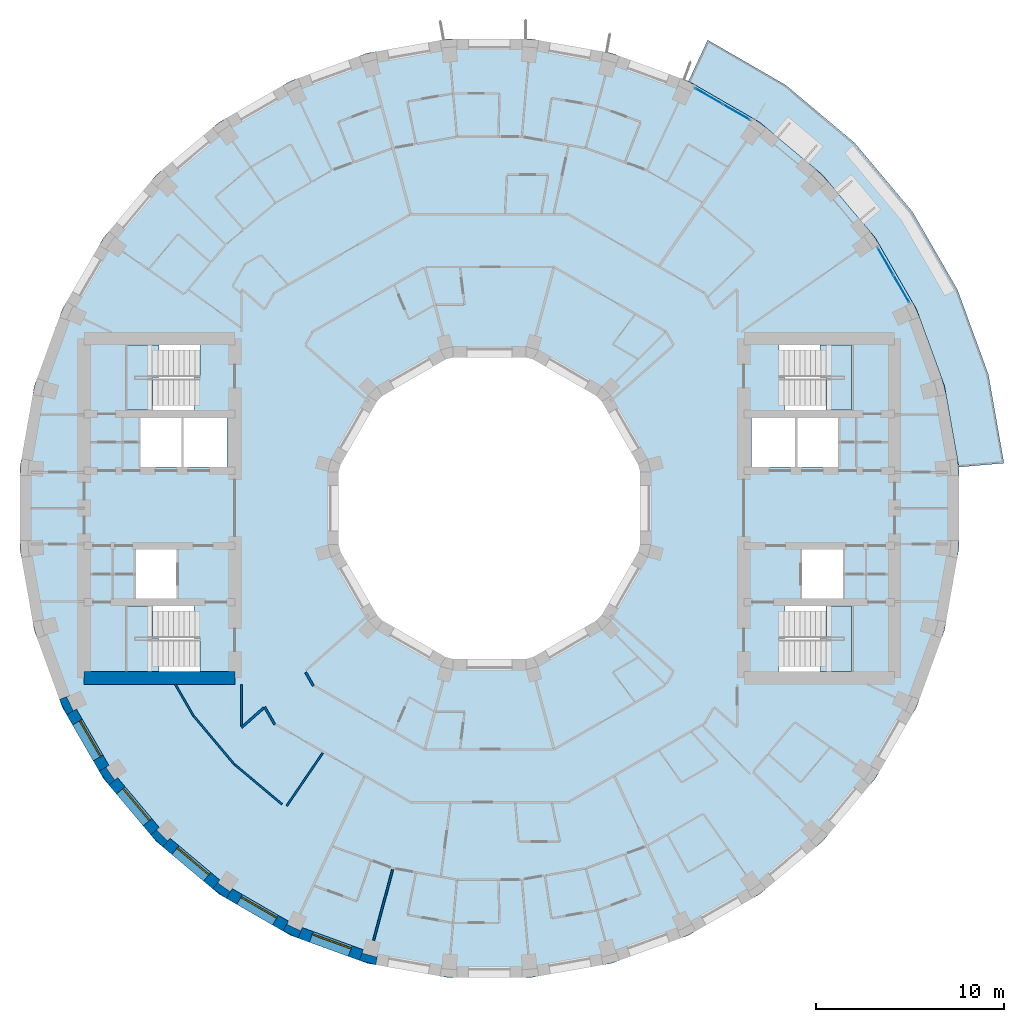
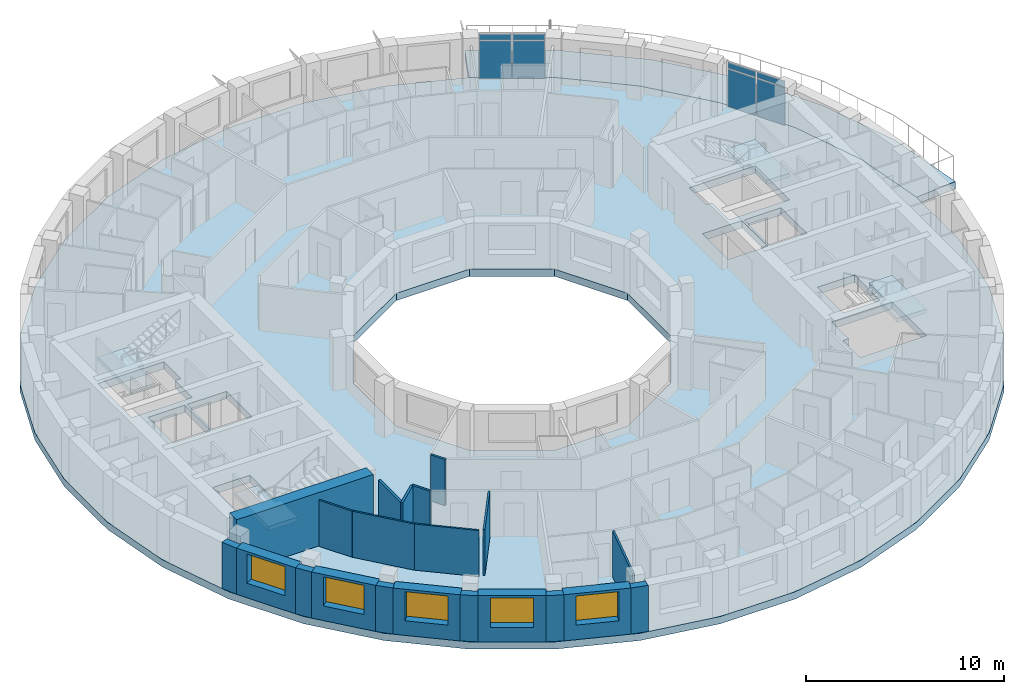
# One storey, part 3 of 15: 21 walls, 8 plates, 6 slabs, 5 windows, 5 openings, 6 elements without a shape of their own.
"""IFC4 building model written with IfcOpenShell, lengths in metres."""

from ifc_helpers import new_model, si_unit, direction, frame, frame_2d, origin, origin_2d, place, context, subcontext, project, spatial, polyline, rectangle, outline, extrude, material, layer, layer_set, type_object, element, fill, aggregate, save


model = new_model("IFC4")

# Units and contexts
model_context = context("Model", 3, precision=1e-05, world=origin(), true_north=direction((0.0, 1.0)))
body_context = subcontext(model_context, "Body", "Model", "MODEL_VIEW")
ifc_project = project(units=[si_unit("LENGTHUNIT", "METRE"), si_unit("AREAUNIT", "SQUARE_METRE"), si_unit("VOLUMEUNIT", "CUBIC_METRE"), si_unit("PLANEANGLEUNIT", "RADIAN"), si_unit("MASSUNIT", "GRAM", prefix="KILO")], contexts=[model_context])

# Site, building, storey
site_placement = place(None, origin())
site = spatial("IfcSite", under=ifc_project, at=site_placement, CompositionType="ELEMENT")
building_placement = place(site_placement, origin())
building = spatial("IfcBuilding", under=site, at=building_placement, Name="Saqina Gate Tower", CompositionType="ELEMENT")
storey_placement = place(building_placement, frame((0.0, 0.0, 197.10009765625)))
storey = spatial("IfcBuildingStorey", under=building, at=storey_placement, Name="L56", CompositionType="ELEMENT", Elevation=197.10009765625)

# Curtain wall, plates
ifc_material_1 = material(Name="Aluminium glazing", Category="aluminium")
ifc_layer_1 = layer(ifc_material_1, 0.159912109375)
ifc_layer_set_1 = layer_set([ifc_layer_1], Name="CWT-4")
curtain_wall_type = type_object("IfcCurtainWallType", Name="CWT-4", PredefinedType="NOTDEFINED", material=ifc_layer_set_1)
curtain_wall_1_placement = place(storey_placement, origin())
curtain_wall_1 = element("IfcCurtainWall", 1, at=curtain_wall_1_placement, inside=storey, type_object=curtain_wall_type, Name="Terrace lounge glazing facet 3", PredefinedType="NOTDEFINED")
ifc_material_2 = material(Name="Glass", Category="glass")
ifc_layer_2 = layer(ifc_material_2, 0.028076171875)
ifc_layer_set_2 = layer_set([ifc_layer_2], Name="CWT-4P")
plate_type = type_object("IfcPlateType", Name="CWT-4P", PredefinedType="CURTAIN_PANEL", material=ifc_layer_set_2)
plate_1_placement = place(storey_placement, frame((21.862060546875, 11.6435546875, 0.059814453125), z_axis=(0.0, 0.0, 1.0), x_axis=(-0.500014364391, 0.866017110341, 0.0)))
plate_1 = element("IfcPlate", 2, at=plate_1_placement, type_object=plate_type, Name="CW4-03 panel 1.1", PredefinedType="CURTAIN_PANEL", context=body_context, shape_type="SweptSolid", body=[
    extrude(rectangle(XDim=1.634765625, YDim=0.028076171875, at=origin_2d()), origin(), (0.0, 0.0, 1.0), 2.31005859375),
])
plate_2_placement = place(storey_placement, frame((21.862060546875, 11.6435546875, 2.4296875), z_axis=(0.0, 0.0, 1.0), x_axis=(-0.500014364391, 0.866017110341, 0.0)))
plate_2 = element("IfcPlate", 3, at=plate_2_placement, type_object=plate_type, Name="CW4-03 panel 1.2", PredefinedType="CURTAIN_PANEL", context=body_context, shape_type="SweptSolid", body=[
    extrude(rectangle(XDim=1.634765625, YDim=0.028076171875, at=origin_2d()), origin(), (0.0, 0.0, 1.0), 0.360107421875),
])
plate_3_placement = place(storey_placement, frame((21.0146484375, 13.111328125, 0.059814453125), z_axis=(0.0, 0.0, 1.0), x_axis=(-0.500014364391, 0.866017110341, 0.0)))
plate_3 = element("IfcPlate", 4, at=plate_3_placement, type_object=plate_type, Name="CW4-03 panel 2.1", PredefinedType="CURTAIN_PANEL", context=body_context, shape_type="SweptSolid", body=[
    extrude(rectangle(XDim=1.634765625, YDim=0.028076171875, at=origin_2d()), origin(), (0.0, 0.0, 1.0), 2.31005859375),
])
plate_4_placement = place(storey_placement, frame((21.0146484375, 13.111328125, 2.4296875), z_axis=(0.0, 0.0, 1.0), x_axis=(-0.500014364391, 0.866017110341, 0.0)))
plate_4 = element("IfcPlate", 5, at=plate_4_placement, type_object=plate_type, Name="CW4-03 panel 2.2", PredefinedType="CURTAIN_PANEL", context=body_context, shape_type="SweptSolid", body=[
    extrude(rectangle(XDim=1.634765625, YDim=0.028076171875, at=origin_2d()), origin(), (0.0, 0.0, 1.0), 0.360107421875),
])
aggregate(curtain_wall_1, [plate_1, plate_2, plate_3, plate_4])

curtain_wall_2_placement = place(storey_placement, origin())
curtain_wall_2 = element("IfcCurtainWall", 6, at=curtain_wall_2_placement, inside=storey, type_object=curtain_wall_type, Name="Terrace lounge glazing facet 6", PredefinedType="NOTDEFINED")
plate_5_placement = place(storey_placement, frame((13.111328125, 21.0146484375, 0.059814453125), z_axis=(0.0, 0.0, 1.0), x_axis=(-0.866017110341, 0.500014364391, 0.0)))
plate_5 = element("IfcPlate", 7, at=plate_5_placement, type_object=plate_type, Name="CW4-06 panel 1.1", PredefinedType="CURTAIN_PANEL", context=body_context, shape_type="SweptSolid", body=[
    extrude(rectangle(XDim=1.634765625, YDim=0.028076171875, at=origin_2d()), origin(), (0.0, 0.0, 1.0), 2.31005859375),
])
plate_6_placement = place(storey_placement, frame((13.111328125, 21.0146484375, 2.4296875), z_axis=(0.0, 0.0, 1.0), x_axis=(-0.866017110341, 0.500014364391, 0.0)))
plate_6 = element("IfcPlate", 8, at=plate_6_placement, type_object=plate_type, Name="CW4-06 panel 1.2", PredefinedType="CURTAIN_PANEL", context=body_context, shape_type="SweptSolid", body=[
    extrude(rectangle(XDim=1.634765625, YDim=0.028076171875, at=origin_2d()), origin(), (0.0, 0.0, 1.0), 0.360107421875),
])
plate_7_placement = place(storey_placement, frame((11.6435546875, 21.862060546875, 0.059814453125), z_axis=(0.0, 0.0, 1.0), x_axis=(-0.866017110341, 0.500014364391, 0.0)))
plate_7 = element("IfcPlate", 9, at=plate_7_placement, type_object=plate_type, Name="CW4-06 panel 2.1", PredefinedType="CURTAIN_PANEL", context=body_context, shape_type="SweptSolid", body=[
    extrude(rectangle(XDim=1.634765625, YDim=0.028076171875, at=origin_2d()), origin(), (0.0, 0.0, 1.0), 2.31005859375),
])
plate_8_placement = place(storey_placement, frame((11.6435546875, 21.862060546875, 2.4296875), z_axis=(0.0, 0.0, 1.0), x_axis=(-0.866017110341, 0.500014364391, 0.0)))
plate_8 = element("IfcPlate", 10, at=plate_8_placement, type_object=plate_type, Name="CW4-06 panel 2.2", PredefinedType="CURTAIN_PANEL", context=body_context, shape_type="SweptSolid", body=[
    extrude(rectangle(XDim=1.634765625, YDim=0.028076171875, at=origin_2d()), origin(), (0.0, 0.0, 1.0), 0.360107421875),
])
aggregate(curtain_wall_2, [plate_5, plate_6, plate_7, plate_8])

# Stair, slab
ifc_material_3 = material(Name="Concrete C40/50", Category="concrete")
stair_type = type_object("IfcStairType", Name="EXIT STAIR", PredefinedType="HALF_TURN_STAIR", material=ifc_material_3)
stair_1_placement = place(storey_placement, origin())
stair_1 = element("IfcStair", 11, at=stair_1_placement, inside=storey, type_object=stair_type, Name="EXIT STAIR 1", PredefinedType="HALF_TURN_STAIR")
ifc_material_4 = material(Name="Concrete C40/50", Category="concrete")
ifc_layer_3 = layer(ifc_material_4, 0.25)
ifc_layer_set_3 = layer_set([ifc_layer_3], Name="Concrete C40/50")
slab_type_1 = type_object("IfcSlabType", Name="EXIT STAIR LANDING", PredefinedType="LANDING", material=ifc_layer_set_3)
slab_1_placement = place(storey_placement, frame((0.0, 0.0, 1.39990234375)))
slab_1 = element("IfcSlab", 12, at=slab_1_placement, type_object=slab_type_1, Name="EXIT STAIR 1 LANDING 1", PredefinedType="LANDING", context=body_context, shape_type="SweptSolid", body=[
    extrude(outline(polyline([(19.219970703125, 8.64990234375), (19.219970703125, 5.199951171875), (17.864990234375, 5.199951171875), (17.864990234375, 6.925048828125), (17.534423828125, 6.925048828125), (17.534423828125, 8.64990234375), (17.864990234375, 8.64990234375), (17.8701171875, 8.64990234375), (19.219970703125, 8.64990234375)])), origin(), (0.0, 0.0, 1.0), 0.25),
])
aggregate(stair_1, [slab_1])

stair_2_placement = place(storey_placement, origin())
stair_2 = element("IfcStair", 13, at=stair_2_placement, inside=storey, type_object=stair_type, Name="EXIT STAIR 2", PredefinedType="HALF_TURN_STAIR")
slab_2_placement = place(storey_placement, frame((0.0, 0.0, 1.39990234375)))
slab_2 = element("IfcSlab", 14, at=slab_2_placement, type_object=slab_type_1, Name="EXIT STAIR 2 LANDING 1", PredefinedType="LANDING", context=body_context, shape_type="SweptSolid", body=[
    extrude(outline(polyline([(17.534423828125, -8.64990234375), (17.534423828125, -6.925048828125), (17.864990234375, -6.925048828125), (17.864990234375, -5.199951171875), (19.219970703125, -5.199951171875), (19.219970703125, -8.64990234375), (17.8701171875, -8.64990234375), (17.864990234375, -8.64990234375), (17.534423828125, -8.64990234375)])), origin(), (0.0, 0.0, 1.0), 0.25),
])
aggregate(stair_2, [slab_2])

stair_3_placement = place(storey_placement, origin())
stair_3 = element("IfcStair", 15, at=stair_3_placement, inside=storey, type_object=stair_type, Name="EXIT STAIR 3", PredefinedType="HALF_TURN_STAIR")
slab_3_placement = place(storey_placement, frame((0.0, 0.0, 1.39990234375)))
slab_3 = element("IfcSlab", 16, at=slab_3_placement, type_object=slab_type_1, Name="EXIT STAIR 3 LANDING 1", PredefinedType="LANDING", context=body_context, shape_type="SweptSolid", body=[
    extrude(outline(polyline([(-17.864990234375, 5.199951171875), (-19.219970703125, 5.199951171875), (-19.219970703125, 8.64990234375), (-17.8701171875, 8.64990234375), (-17.864990234375, 8.64990234375), (-17.534423828125, 8.64990234375), (-17.534423828125, 6.925048828125), (-17.864990234375, 6.925048828125), (-17.864990234375, 5.199951171875)])), origin(), (0.0, 0.0, 1.0), 0.25),
])
aggregate(stair_3, [slab_3])

stair_4_placement = place(storey_placement, origin())
stair_4 = element("IfcStair", 17, at=stair_4_placement, inside=storey, type_object=stair_type, Name="EXIT STAIR 4", PredefinedType="HALF_TURN_STAIR")
slab_4_placement = place(storey_placement, frame((0.0, 0.0, 1.39990234375)))
slab_4 = element("IfcSlab", 18, at=slab_4_placement, type_object=slab_type_1, Name="EXIT STAIR 4 LANDING 1", PredefinedType="LANDING", context=body_context, shape_type="SweptSolid", body=[
    extrude(outline(polyline([(-17.534423828125, -6.925048828125), (-17.534423828125, -8.64990234375), (-17.864990234375, -8.64990234375), (-17.8701171875, -8.64990234375), (-19.219970703125, -8.64990234375), (-19.219970703125, -5.199951171875), (-17.864990234375, -5.199951171875), (-17.864990234375, -6.925048828125), (-17.534423828125, -6.925048828125)])), origin(), (0.0, 0.0, 1.0), 0.25),
])
aggregate(stair_4, [slab_4])

# Slabs
ifc_material_5 = material(Name="Concrete C40/50", Category="concrete")
ifc_layer_4 = layer(ifc_material_5, 0.449951171875)
ifc_layer_set_4 = layer_set([ifc_layer_4], Name="Concrete C40/50")
slab_type_2 = type_object("IfcSlabType", Name="STR-POST-TENSIONED FLAT PLATE FLOOR-450", PredefinedType="FLOOR", material=ifc_layer_set_4)
slab_5_placement = place(storey_placement, frame((0.0, 0.0, -0.4501953125)))
element("IfcSlab", 19, at=slab_5_placement, inside=storey, type_object=slab_type_2, Name="L56-SLB01", PredefinedType="FLOOR", context=body_context, shape_type="SweptSolid", body=[
    extrude(outline(polyline([(24.148193359375, -6.470458984375), (24.90478515625, -2.178955078125), (24.90478515625, 2.178955078125), (24.148193359375, 6.470458984375), (22.65771484375, 10.5654296875), (20.478759765625, 14.33935546875), (17.677734375, 17.677734375), (14.33935546875, 20.478759765625), (10.5654296875, 22.65771484375), (6.470458984375, 24.148193359375), (2.178955078125, 24.90478515625), (-2.178955078125, 24.90478515625), (-6.470458984375, 24.148193359375), (-10.5654296875, 22.65771484375), (-14.33935546875, 20.478759765625), (-17.677734375, 17.677734375), (-20.478759765625, 14.33935546875), (-22.65771484375, 10.5654296875), (-24.148193359375, 6.470458984375), (-24.90478515625, 2.178955078125), (-24.90478515625, -2.178955078125), (-24.148193359375, -6.470458984375), (-22.65771484375, -10.5654296875), (-20.478759765625, -14.33935546875), (-17.677734375, -17.677734375), (-14.33935546875, -20.478759765625), (-10.5654296875, -22.65771484375), (-6.470458984375, -24.148193359375), (-2.178955078125, -24.90478515625), (2.178955078125, -24.90478515625), (6.470458984375, -24.148193359375), (10.5654296875, -22.65771484375), (14.33935546875, -20.478759765625), (17.677734375, -17.677734375), (20.478759765625, -14.33935546875), (22.65771484375, -10.5654296875), (24.148193359375, -6.470458984375)]), holes=[polyline([(2.1435546875, 8.0), (5.8564453125, 5.8564453125), (8.0, 2.1435546875), (8.0, -2.1435546875), (5.8564453125, -5.8564453125), (2.1435546875, -8.0), (-2.1435546875, -8.0), (-5.8564453125, -5.8564453125), (-8.0, -2.1435546875), (-8.0, 2.1435546875), (-5.8564453125, 5.8564453125), (-2.1435546875, 8.0), (2.1435546875, 8.0)]), polyline([(-15.35498046875, -8.64990234375), (-19.219970703125, -8.64990234375), (-19.219970703125, -6.925048828125), (-19.219970703125, -5.199951171875), (-15.685546875, -5.199951171875), (-15.685546875, -6.925048828125), (-15.35498046875, -6.925048828125), (-15.35498046875, -8.64990234375)]), polyline([(-16.590087890625, -2.199951171875), (-16.590087890625, -4.800048828125), (-18.75, -4.800048828125), (-18.75, -2.199951171875), (-16.590087890625, -2.199951171875)]), polyline([(-16.340087890625, 4.800048828125), (-16.340087890625, 2.199951171875), (-18.5, 2.199951171875), (-18.5, 4.800048828125), (-16.340087890625, 4.800048828125)]), polyline([(-13.909912109375, 4.800048828125), (-13.909912109375, 2.199951171875), (-16.219970703125, 2.199951171875), (-16.219970703125, 4.800048828125), (-13.909912109375, 4.800048828125)]), polyline([(-19.219970703125, 6.925048828125), (-19.219970703125, 8.64990234375), (-15.35498046875, 8.64990234375), (-15.35498046875, 6.925048828125), (-15.685546875, 6.925048828125), (-15.685546875, 5.199951171875), (-19.219970703125, 5.199951171875), (-19.219970703125, 6.925048828125)]), polyline([(15.35498046875, -8.64990234375), (15.35498046875, -6.925048828125), (15.685546875, -6.925048828125), (15.685546875, -5.199951171875), (19.219970703125, -5.199951171875), (19.219970703125, -6.925048828125), (19.219970703125, -8.64990234375), (15.35498046875, -8.64990234375)]), polyline([(18.75, -2.199951171875), (18.75, -4.800048828125), (16.590087890625, -4.800048828125), (16.590087890625, -2.199951171875), (18.75, -2.199951171875)]), polyline([(16.219970703125, 4.800048828125), (16.219970703125, 2.199951171875), (13.909912109375, 2.199951171875), (13.909912109375, 4.800048828125), (16.219970703125, 4.800048828125)]), polyline([(18.5, 4.800048828125), (18.5, 2.199951171875), (16.340087890625, 2.199951171875), (16.340087890625, 4.800048828125), (18.5, 4.800048828125)]), polyline([(15.685546875, 6.925048828125), (15.35498046875, 6.925048828125), (15.35498046875, 8.64990234375), (19.219970703125, 8.64990234375), (19.219970703125, 6.925048828125), (19.219970703125, 5.199951171875), (15.685546875, 5.199951171875), (15.685546875, 6.925048828125)])]), origin(), (0.0, 0.0, 1.0), 0.4501953125),
])
ifc_material_6 = material(Name="Concrete C40/50", Category="concrete")
ifc_layer_5 = layer(ifc_material_6, 0.449951171875)
ifc_layer_set_5 = layer_set([ifc_layer_5], Name="Concrete C40/50")
slab_type_3 = type_object("IfcSlabType", Name="STR-POST-TENSIONED FLAT PLATE TERRACE-450", PredefinedType="FLOOR", material=ifc_layer_set_5)
slab_6_placement = place(storey_placement, frame((0.0, 0.0, -0.4501953125)))
element("IfcSlab", 20, at=slab_6_placement, inside=storey, type_object=slab_type_3, Name="L56-TRS01", PredefinedType="FLOOR", context=body_context, shape_type="SweptSolid", body=[
    extrude(outline(polyline([(24.90478515625, 2.178955078125), (24.148193359375, 6.470458984375), (22.65771484375, 10.5654296875), (20.478759765625, 14.33935546875), (17.677734375, 17.677734375), (14.33935546875, 20.478759765625), (10.5654296875, 22.65771484375), (11.58349609375, 24.841064453125), (15.72119140625, 22.452392578125), (19.381103515625, 19.381103515625), (22.452392578125, 15.72119140625), (24.841064453125, 11.58349609375), (26.475341796875, 7.093994140625), (27.304931640625, 2.388916015625), (24.90478515625, 2.178955078125)])), origin(), (0.0, 0.0, 1.0), 0.4501953125),
])

# Walls
ifc_material_7 = material(Name="Brick masonry (buff)", Category="masonry")
wall_type_1 = type_object("IfcWallType", Name="BRICK PIER COPING BUFF", PredefinedType="SOLIDWALL", material=ifc_material_7)
wall_1_placement = place(storey_placement, origin())
element("IfcWall", 21, at=wall_1_placement, inside=storey, type_object=wall_type_1, Name="Pier cap L56 column 21", PredefinedType="SOLIDWALL", context=body_context, shape_type="SweptSolid", body=[
    extrude(outline(polyline([(-22.4306640625, -10.958740234375), (-21.9111328125, -10.65869140625), (-22.080810546875, -10.73779296875), (-22.4189453125, -10.0126953125), (-22.249267578125, -9.93359375), (-22.81298828125, -10.138916015625), (-22.4306640625, -10.958740234375)])), origin(), (0.0, 0.0, 1.0), 2.849853515625),
])
wall_2_placement = place(storey_placement, origin())
element("IfcWall", 22, at=wall_2_placement, inside=storey, type_object=wall_type_1, Name="Pier cap L56 column 22", PredefinedType="SOLIDWALL", context=body_context, shape_type="SweptSolid", body=[
    extrude(outline(polyline([(-20.705810546875, -13.9462890625), (-20.18701171875, -14.687255859375), (-19.727294921875, -14.301513671875), (-19.880859375, -14.408935546875), (-20.339599609375, -13.753662109375), (-20.186279296875, -13.646240234375), (-20.705810546875, -13.9462890625)])), origin(), (0.0, 0.0, 1.0), 2.849853515625),
])
wall_3_placement = place(storey_placement, origin())
element("IfcWall", 23, at=wall_3_placement, inside=storey, type_object=wall_type_1, Name="Pier cap L56 column 23", PredefinedType="SOLIDWALL", context=body_context, shape_type="SweptSolid", body=[
    extrude(outline(polyline([(-17.329833984375, -17.969482421875), (-16.944091796875, -17.510009765625), (-17.07666015625, -17.642333984375), (-17.642333984375, -17.07666015625), (-17.510009765625, -16.944091796875), (-17.969482421875, -17.329833984375), (-17.329833984375, -17.969482421875)])), origin(), (0.0, 0.0, 1.0), 2.849853515625),
])
wall_4_placement = place(storey_placement, origin())
element("IfcWall", 24, at=wall_4_placement, inside=storey, type_object=wall_type_1, Name="Pier cap L56 column 24", PredefinedType="SOLIDWALL", context=body_context, shape_type="SweptSolid", body=[
    extrude(outline(polyline([(-14.687255859375, -20.18701171875), (-13.9462890625, -20.705810546875), (-13.646240234375, -20.186279296875), (-13.753662109375, -20.339599609375), (-14.408935546875, -19.880859375), (-14.301513671875, -19.727294921875), (-14.687255859375, -20.18701171875)])), origin(), (0.0, 0.0, 1.0), 2.849853515625),
])
wall_5_placement = place(storey_placement, origin())
element("IfcWall", 25, at=wall_5_placement, inside=storey, type_object=wall_type_1, Name="Pier cap L56 column 25", PredefinedType="SOLIDWALL", context=body_context, shape_type="SweptSolid", body=[
    extrude(outline(polyline([(-10.138916015625, -22.81298828125), (-9.93359375, -22.249267578125), (-10.0126953125, -22.4189453125), (-10.73779296875, -22.080810546875), (-10.65869140625, -21.9111328125), (-10.958740234375, -22.4306640625), (-10.138916015625, -22.81298828125)])), origin(), (0.0, 0.0, 1.0), 2.849853515625),
])
wall_6_placement = place(storey_placement, origin())
element("IfcWall", 26, at=wall_6_placement, inside=storey, type_object=wall_type_1, Name="Pier cap L56 column 26", PredefinedType="SOLIDWALL", context=body_context, shape_type="SweptSolid", body=[
    extrude(outline(polyline([(-6.0234375, -24.22705078125), (-5.919189453125, -23.635986328125), (-5.967529296875, -23.81689453125), (-6.740478515625, -23.610107421875), (-6.69189453125, -23.428955078125), (-6.897216796875, -23.992919921875), (-6.0234375, -24.22705078125)])), origin(), (0.0, 0.0, 1.0), 2.849853515625),
])

# Wall, opening, window
ifc_material_8 = material(Name="Brick masonry (buff)", Category="masonry")
ifc_layer_6 = layer(ifc_material_8, 0.60009765625)
ifc_layer_set_6 = layer_set([ifc_layer_6], Name="FW-BRICK-BUFF")
wall_type_2 = type_object("IfcWallType", Name="FW-BRICK-BUFF", PredefinedType="SOLIDWALL", material=ifc_layer_set_6)
wall_7_placement = place(storey_placement, frame((-22.1708984375, -10.80859375, 0.0), z_axis=(0.0, 0.0, 1.0), x_axis=(0.499998129301, -0.86602648383, 0.0)))
wall_7 = element("IfcWall", 27, at=wall_7_placement, inside=storey, type_object=wall_type_2, Name="Facade wall L56 facet 21", PredefinedType="SOLIDWALL", context=body_context, shape_type="SweptSolid", body=[
    extrude(rectangle(XDim=3.44970703125, YDim=0.60009765625, at=frame_2d((1.724853515625, 0.0))), origin(), (0.0, 0.0, 1.0), 2.849853515625),
])
opening_1_placement = place(wall_7_placement, frame((0.625, 0.0, 0.89990234375)))
opening_1 = element("IfcOpeningElement", 28, at=opening_1_placement, cuts=wall_7, Name="Opening G16-W10", PredefinedType="OPENING", context=body_context, shape_type="SweptSolid", body=[
    extrude(rectangle(XDim=2.199951171875, YDim=1.800048828125, at=frame_2d((1.10009765625, 0.89990234375))), frame((0.0, 0.31201171875, 0.0), z_axis=(0.0, -1.0, 0.0), x_axis=(1.0, 0.0, 0.0)), (0.0, 0.0, 1.0), 0.6240234375),
])
ifc_material_9 = material(Name="Aluminium glazing", Category="aluminium")
window_type = type_object("IfcWindowType", Name="WN-C", PartitioningType="SINGLE_PANEL", PredefinedType="WINDOW", material=ifc_material_9)
window_1_placement = place(opening_1_placement, origin())
window_1 = element("IfcWindow", 29, at=window_1_placement, inside=storey, type_object=window_type, Name="Window L56 facet 21", OverallHeight=1.800048828125, OverallWidth=2.199951171875, PartitioningType="SINGLE_PANEL", PredefinedType="WINDOW", context=body_context, shape_type="SweptSolid", body=[
    extrude(rectangle(XDim=2.199951171875, YDim=1.800048828125, at=frame_2d((1.10009765625, 0.89990234375))), frame((0.0, 0.179931640625, 0.0), z_axis=(0.0, -1.0, 0.0), x_axis=(1.0, 0.0, 0.0)), (0.0, 0.0, 1.0), 0.06005859375),
])
fill(opening_1, window_1)

wall_8_placement = place(storey_placement, frame((-19.95703125, -14.494384765625, 0.0), z_axis=(0.0, 0.0, 1.0), x_axis=(0.642770398358, -0.766058884809, 0.0)))
wall_8 = element("IfcWall", 30, at=wall_8_placement, inside=storey, type_object=wall_type_2, Name="Facade wall L56 facet 22", PredefinedType="SOLIDWALL", context=body_context, shape_type="SweptSolid", body=[
    extrude(rectangle(XDim=3.449462890625, YDim=0.60009765625, at=frame_2d((1.724609375, 0.0))), origin(), (0.0, 0.0, 1.0), 2.849853515625),
])
opening_2_placement = place(wall_8_placement, frame((0.625, 0.0, 0.89990234375)))
opening_2 = element("IfcOpeningElement", 31, at=opening_2_placement, cuts=wall_8, Name="Opening G16-W11", PredefinedType="OPENING", context=body_context, shape_type="SweptSolid", body=[
    extrude(rectangle(XDim=2.199951171875, YDim=1.800048828125, at=frame_2d((1.10009765625, 0.89990234375))), frame((0.0, 0.31201171875, 0.0), z_axis=(0.0, -1.0, 0.0), x_axis=(1.0, 0.0, 0.0)), (0.0, 0.0, 1.0), 0.6240234375),
])
window_2_placement = place(opening_2_placement, origin())
window_2 = element("IfcWindow", 32, at=window_2_placement, inside=storey, type_object=window_type, Name="Window L56 facet 22", OverallHeight=1.800048828125, OverallWidth=2.199951171875, PartitioningType="SINGLE_PANEL", PredefinedType="WINDOW", context=body_context, shape_type="SweptSolid", body=[
    extrude(rectangle(XDim=2.199951171875, YDim=1.800048828125, at=frame_2d((1.10009765625, 0.89990234375))), frame((0.0, 0.179931640625, 0.0), z_axis=(0.0, -1.0, 0.0), x_axis=(1.0, 0.0, 0.0)), (0.0, 0.0, 1.0), 0.06005859375),
])
fill(opening_2, window_2)

wall_9_placement = place(storey_placement, frame((-17.136962890625, -17.73974609375, 0.0), z_axis=(0.0, 0.0, 1.0), x_axis=(0.766058884809, -0.642770398358, 0.0)))
wall_9 = element("IfcWall", 33, at=wall_9_placement, inside=storey, type_object=wall_type_2, Name="Facade wall L56 facet 23", PredefinedType="SOLIDWALL", context=body_context, shape_type="SweptSolid", body=[
    extrude(rectangle(XDim=3.449462890625, YDim=0.60009765625, at=frame_2d((1.724609375, 0.0))), origin(), (0.0, 0.0, 1.0), 2.849853515625),
])
opening_3_placement = place(wall_9_placement, frame((0.625, 0.0, 0.89990234375)))
opening_3 = element("IfcOpeningElement", 34, at=opening_3_placement, cuts=wall_9, Name="Opening G16-W12", PredefinedType="OPENING", context=body_context, shape_type="SweptSolid", body=[
    extrude(rectangle(XDim=2.199951171875, YDim=1.800048828125, at=frame_2d((1.10009765625, 0.89990234375))), frame((0.0, 0.31201171875, 0.0), z_axis=(0.0, -1.0, 0.0), x_axis=(1.0, 0.0, 0.0)), (0.0, 0.0, 1.0), 0.6240234375),
])
window_3_placement = place(opening_3_placement, origin())
window_3 = element("IfcWindow", 35, at=window_3_placement, inside=storey, type_object=window_type, Name="Window L56 facet 23", OverallHeight=1.800048828125, OverallWidth=2.199951171875, PartitioningType="SINGLE_PANEL", PredefinedType="WINDOW", context=body_context, shape_type="SweptSolid", body=[
    extrude(rectangle(XDim=2.199951171875, YDim=1.800048828125, at=frame_2d((1.10009765625, 0.89990234375))), frame((0.0, 0.179931640625, 0.0), z_axis=(0.0, -1.0, 0.0), x_axis=(1.0, 0.0, 0.0)), (0.0, 0.0, 1.0), 0.06005859375),
])
fill(opening_3, window_3)

wall_10_placement = place(storey_placement, frame((-13.796142578125, -20.446044921875, 0.0), z_axis=(0.0, 0.0, 1.0), x_axis=(0.86602648383, -0.499998129301, 0.0)))
wall_10 = element("IfcWall", 36, at=wall_10_placement, inside=storey, type_object=wall_type_2, Name="Facade wall L56 facet 24", PredefinedType="SOLIDWALL", context=body_context, shape_type="SweptSolid", body=[
    extrude(rectangle(XDim=3.44970703125, YDim=0.60009765625, at=frame_2d((1.724853515625, 0.0))), origin(), (0.0, 0.0, 1.0), 2.849853515625),
])
opening_4_placement = place(wall_10_placement, frame((0.625, 0.0, 0.89990234375)))
opening_4 = element("IfcOpeningElement", 37, at=opening_4_placement, cuts=wall_10, Name="Opening G16-W13", PredefinedType="OPENING", context=body_context, shape_type="SweptSolid", body=[
    extrude(rectangle(XDim=2.199951171875, YDim=1.800048828125, at=frame_2d((1.10009765625, 0.89990234375))), frame((0.0, 0.31201171875, 0.0), z_axis=(0.0, -1.0, 0.0), x_axis=(1.0, 0.0, 0.0)), (0.0, 0.0, 1.0), 0.6240234375),
])
window_4_placement = place(opening_4_placement, origin())
window_4 = element("IfcWindow", 38, at=window_4_placement, inside=storey, type_object=window_type, Name="Window L56 facet 24", OverallHeight=1.800048828125, OverallWidth=2.199951171875, PartitioningType="SINGLE_PANEL", PredefinedType="WINDOW", context=body_context, shape_type="SweptSolid", body=[
    extrude(rectangle(XDim=2.199951171875, YDim=1.800048828125, at=frame_2d((1.10009765625, 0.89990234375))), frame((0.0, 0.179931640625, 0.0), z_axis=(0.0, -1.0, 0.0), x_axis=(1.0, 0.0, 0.0)), (0.0, 0.0, 1.0), 0.06005859375),
])
fill(opening_4, window_4)

wall_11_placement = place(storey_placement, frame((-10.0361328125, -22.531005859375, 0.0), z_axis=(0.0, 0.0, 1.0), x_axis=(0.93968799822, -0.342032843455, 0.0)))
wall_11 = element("IfcWall", 39, at=wall_11_placement, inside=storey, type_object=wall_type_2, Name="Facade wall L56 facet 25", PredefinedType="SOLIDWALL", context=body_context, shape_type="SweptSolid", body=[
    extrude(rectangle(XDim=3.44970703125, YDim=0.60009765625, at=frame_2d((1.724853515625, 0.0))), origin(), (0.0, 0.0, 1.0), 2.849853515625),
])
opening_5_placement = place(wall_11_placement, frame((0.625, 0.0, 0.89990234375)))
opening_5 = element("IfcOpeningElement", 40, at=opening_5_placement, cuts=wall_11, Name="Opening G16-W14", PredefinedType="OPENING", context=body_context, shape_type="SweptSolid", body=[
    extrude(rectangle(XDim=2.199951171875, YDim=1.800048828125, at=frame_2d((1.10009765625, 0.89990234375))), frame((0.0, 0.31201171875, 0.0), z_axis=(0.0, -1.0, 0.0), x_axis=(1.0, 0.0, 0.0)), (0.0, 0.0, 1.0), 0.6240234375),
])
window_5_placement = place(opening_5_placement, origin())
window_5 = element("IfcWindow", 41, at=window_5_placement, inside=storey, type_object=window_type, Name="Window L56 facet 25", OverallHeight=1.800048828125, OverallWidth=2.199951171875, PartitioningType="SINGLE_PANEL", PredefinedType="WINDOW", context=body_context, shape_type="SweptSolid", body=[
    extrude(rectangle(XDim=2.199951171875, YDim=1.800048828125, at=frame_2d((1.10009765625, 0.89990234375))), frame((0.0, 0.179931640625, 0.0), z_axis=(0.0, -1.0, 0.0), x_axis=(1.0, 0.0, 0.0)), (0.0, 0.0, 1.0), 0.06005859375),
])
fill(opening_5, window_5)

# Walls
ifc_material_10 = material(Name="Gypsum board on steel studs, 100 mm", Category="steel")
ifc_layer_7 = layer(ifc_material_10, 0.10009765625)
ifc_layer_set_7 = layer_set([ifc_layer_7], Name="PARTITION 100")
wall_type_3 = type_object("IfcWallType", Name="PARTITION 100", PredefinedType="PARTITIONING", material=ifc_layer_set_7)
wall_12_placement = place(storey_placement, frame((-16.662109375, -9.35009765625, 0.0), z_axis=(0.0, 0.0, 1.0), x_axis=(0.499012734814, -0.86659465178, 0.0)))
element("IfcWall", 42, at=wall_12_placement, inside=storey, type_object=wall_type_3, Name="PARTITION PW3-16", PredefinedType="PARTITIONING", context=body_context, shape_type="SweptSolid", body=[
    extrude(rectangle(XDim=1.9560546875, YDim=0.10009765625, at=frame_2d((0.97802734375, 0.0))), origin(), (0.0, 0.0, 1.0), 2.849853515625),
])
wall_13_placement = place(storey_placement, frame((-15.677978515625, -11.038330078125, 0.0), z_axis=(0.0, 0.0, 1.0), x_axis=(0.642837591944, -0.766002500247, 0.0)))
element("IfcWall", 43, at=wall_13_placement, inside=storey, type_object=wall_type_3, Name="PARTITION PW3-22", PredefinedType="PARTITIONING", context=body_context, shape_type="SweptSolid", body=[
    extrude(rectangle(XDim=3.343994140625, YDim=0.10009765625, at=frame_2d((1.671875, 0.0))), origin(), (0.0, 0.0, 1.0), 2.849853515625),
])
wall_14_placement = place(storey_placement, frame((-13.522705078125, -13.59326171875, 0.0), z_axis=(0.0, 0.0, 1.0), x_axis=(0.766059647018, -0.64276948995, 0.0)))
element("IfcWall", 44, at=wall_14_placement, inside=storey, type_object=wall_type_3, Name="PARTITION PW3-32", PredefinedType="PARTITIONING", context=body_context, shape_type="SweptSolid", body=[
    extrude(rectangle(XDim=3.293212890625, YDim=0.10009765625, at=frame_2d((1.646484375, 0.0))), origin(), (0.0, 0.0, 1.0), 2.849853515625),
])
wall_15_placement = place(storey_placement, frame((-10.75390625, -15.793701171875, 0.0), z_axis=(0.0, 0.0, 1.0), x_axis=(0.562822277652, 0.826577935695, 0.0)))
element("IfcWall", 45, at=wall_15_placement, inside=storey, type_object=wall_type_3, Name="PARTITION PW3-86", PredefinedType="PARTITIONING", context=body_context, shape_type="SweptSolid", body=[
    extrude(rectangle(XDim=3.401611328125, YDim=0.10009765625, at=frame_2d((1.70068359375, 0.0))), origin(), (0.0, 0.0, 1.0), 2.849853515625),
])
wall_16_placement = place(storey_placement, frame((-6.14453125, -22.930908203125, 0.0), z_axis=(0.0, 0.0, 1.0), x_axis=(0.259139967725, 0.965839778186, 0.0)))
element("IfcWall", 46, at=wall_16_placement, inside=storey, type_object=wall_type_3, Name="PARTITION PW3-94", PredefinedType="PARTITIONING", context=body_context, shape_type="SweptSolid", body=[
    extrude(rectangle(XDim=3.8974609375, YDim=0.10009765625, at=frame_2d((1.94873046875, 0.0))), origin(), (0.0, 0.0, 1.0), 2.849853515625),
])
ifc_material_11 = material(Name="Gypsum board on steel studs, 125 mm, fire rated", Category="steel")
ifc_layer_8 = layer(ifc_material_11, 0.125)
ifc_layer_set_8 = layer_set([ifc_layer_8], Name="PARTITION EI 30 125")
wall_type_4 = type_object("IfcWallType", Name="PARTITION EI 30 125", PredefinedType="PARTITIONING", material=ifc_layer_set_8)
wall_17_placement = place(storey_placement, frame((-11.923095703125, -10.549072265625, 0.0), z_axis=(0.0, 0.0, 1.0), x_axis=(0.500304011038, -0.865849811769, 0.0)))
element("IfcWall", 47, at=wall_17_placement, inside=storey, type_object=wall_type_4, Name="PARTITION PW1-01", PredefinedType="PARTITIONING", context=body_context, shape_type="SweptSolid", body=[
    extrude(rectangle(XDim=1.077880859375, YDim=0.125, at=frame_2d((0.5390625, 0.0))), origin(), (0.0, 0.0, 1.0), 2.849853515625),
])
wall_18_placement = place(storey_placement, frame((-9.751708984375, -8.709228515625, 0.0), z_axis=(0.0, 0.0, 1.0), x_axis=(0.500194796412, -0.865912908809, 0.0)))
element("IfcWall", 48, at=wall_18_placement, inside=storey, type_object=wall_type_4, Name="PARTITION PW1-02", PredefinedType="PARTITIONING", context=body_context, shape_type="SweptSolid", body=[
    extrude(rectangle(XDim=0.835205078125, YDim=0.125, at=frame_2d((0.41748046875, 0.0))), origin(), (0.0, 0.0, 1.0), 2.849853515625),
])
wall_19_placement = place(storey_placement, frame((-13.14990234375, -11.634033203125, 0.0), z_axis=(0.0, 0.0, 1.0), x_axis=(0.748946277056, 0.662630722261, 0.0)))
element("IfcWall", 49, at=wall_19_placement, inside=storey, type_object=wall_type_4, Name="PARTITION PW1-39", PredefinedType="PARTITIONING", context=body_context, shape_type="SweptSolid", body=[
    extrude(rectangle(XDim=1.575439453125, YDim=0.125, at=frame_2d((0.78759765625, 0.0))), origin(), (0.0, 0.0, 1.0), 2.849853515625),
])
wall_20_placement = place(storey_placement, frame((-13.14990234375, -11.571533203125, 0.0), z_axis=(0.0, 0.0, 1.0), x_axis=(0.0, 1.0, 0.0)))
element("IfcWall", 50, at=wall_20_placement, inside=storey, type_object=wall_type_4, Name="PARTITION PW1-52", PredefinedType="PARTITIONING", context=body_context, shape_type="SweptSolid", body=[
    extrude(rectangle(XDim=2.221435546875, YDim=0.125, at=frame_2d((1.11083984375, 0.0))), origin(), (0.0, 0.0, 1.0), 2.849853515625),
])
ifc_material_12 = material(Name="Concrete C60/75", Category="concrete")
ifc_layer_9 = layer(ifc_material_12, 0.699951171875)
ifc_layer_set_9 = layer_set([ifc_layer_9], Name="Concrete C60/75")
wall_type_5 = type_object("IfcWallType", Name="STR-CORE WALL-C-O", PredefinedType="SHEAR", material=ifc_layer_set_9)
wall_21_placement = place(storey_placement, frame((-13.5, -9.0, 0.0), z_axis=(0.0, 0.0, 1.0), x_axis=(-1.0, 0.0, 0.0)))
element("IfcWall", 51, at=wall_21_placement, inside=storey, type_object=wall_type_5, Name="CORE WALL L56 W-SE", PredefinedType="SHEAR", context=body_context, shape_type="SweptSolid", body=[
    extrude(rectangle(XDim=8.0, YDim=0.699951171875, at=frame_2d((4.0, 0.0))), origin(), (0.0, 0.0, 1.0), 3.2998046875),
])

save(model, "model.ifc")
